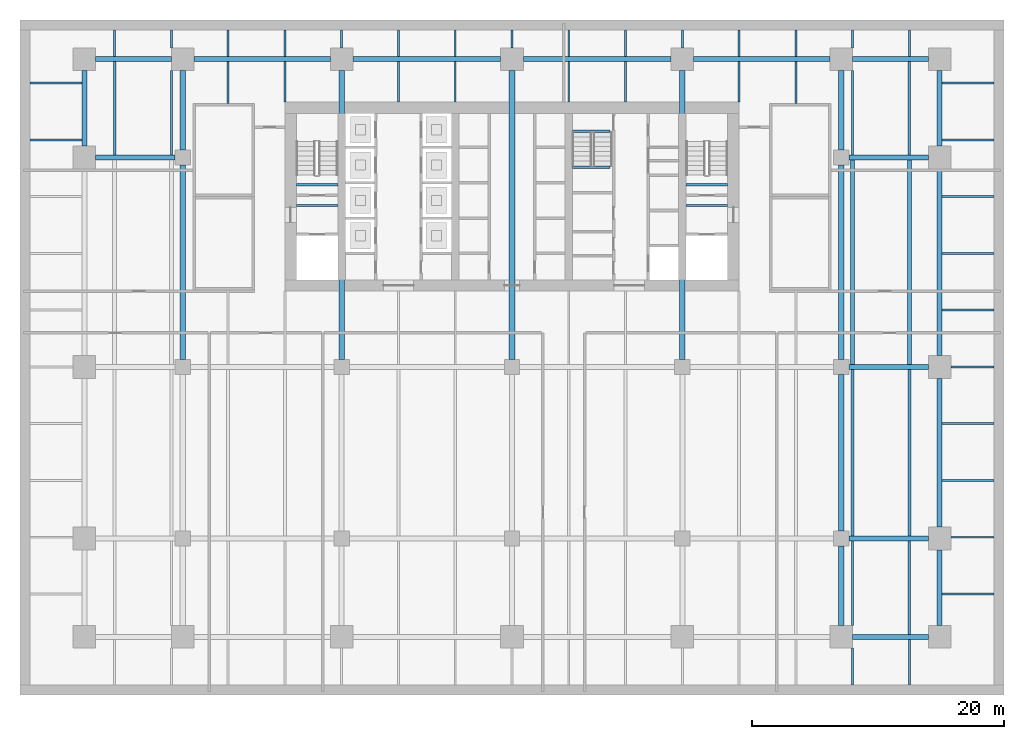
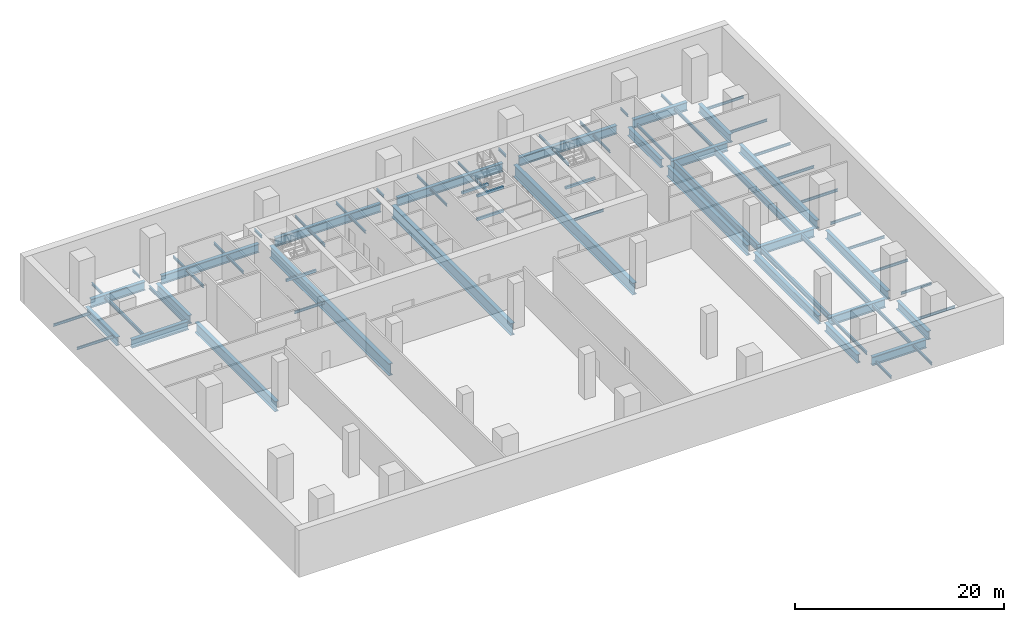
# One storey, part 2 of 11: 79 beams.
"""IFC4 building model written with IfcOpenShell, lengths in metres."""

from ifc_helpers import new_model, si_unit, direction, frame, origin, origin_2d, place, context, subcontext, project, spatial, rectangle, i_section, extrude, material, material_profile, profile_set, type_object, element, save


model = new_model("IFC4")

# Units and contexts
model_context = context("Model", 3, precision=1e-05, world=origin(), true_north=direction((0.0, 1.0)))
body_context = subcontext(model_context, "Body", "Model", "MODEL_VIEW")
ifc_project = project(units=[si_unit("LENGTHUNIT", "METRE"), si_unit("AREAUNIT", "SQUARE_METRE"), si_unit("VOLUMEUNIT", "CUBIC_METRE"), si_unit("PLANEANGLEUNIT", "RADIAN"), si_unit("MASSUNIT", "GRAM", prefix="KILO")], contexts=[model_context])

# Site, building, storey
site_placement = place(None, origin())
site = spatial("IfcSite", under=ifc_project, at=site_placement, CompositionType="ELEMENT")
building_placement = place(site_placement, origin())
building = spatial("IfcBuilding", under=site, at=building_placement, Name="Rattan Terrace Tower", CompositionType="ELEMENT")
storey_placement = place(building_placement, frame((0.0, 0.0, -5.5)))
storey = spatial("IfcBuildingStorey", under=building, at=storey_placement, Name="B1", CompositionType="ELEMENT", Elevation=-5.5)

# Beams
ifc_material_1 = material(Name="Concrete C40/50", Category="concrete")
ifc_material_profile_1 = material_profile(ifc_material_1, rectangle(XDim=0.199951171875, YDim=0.300048828125, at=origin_2d()), Name="RC 200x300")
ifc_profile_set_1 = profile_set([ifc_material_profile_1], Name="Concrete C40/50")
beam_type_1 = type_object("IfcBeamType", Name="Core landing beam RC 200x300", PredefinedType="BEAM", material=ifc_profile_set_1)
for number, where, z_axis, x_axis, name in (
    (1, (-17.10009765625, 0.949951171875, 2.39990234375), (1.0, 0.0, 0.0), (0.0, 1.0, 0.0), "st-S1-B1 landing 2 edge beam"),
    (2, (13.800048828125, 0.949951171875, 2.39990234375), (1.0, 0.0, 0.0), (0.0, 1.0, 0.0), "st-S2-B1 landing 2 edge beam"),
):
    element("IfcBeam", number, at=place(storey_placement, frame(where, z_axis=z_axis, x_axis=x_axis)), inside=storey, type_object=beam_type_1, Name=name, PredefinedType="BEAM", context=body_context, shape_type="SweptSolid", body=[
        extrude(rectangle(XDim=0.199951171875, YDim=0.300048828125, at=origin_2d()), origin(), (0.0, 0.0, 1.0), 3.300048828125),
    ])
for number, where, z_axis, x_axis, name in (
    (3, (4.800048828125, 2.340087890625, 1.02490234375), (1.0, 0.0, 0.0), (0.0, 1.0, 0.0), "st-S3-B1 landing 1 edge beam"),
    (4, (4.800048828125, 5.199951171875, 2.39990234375), (1.0, 0.0, 0.0), (0.0, 1.0, 0.0), "st-S3-B1 landing 2 edge beam"),
    (5, (4.800048828125, 2.340087890625, 3.77490234375), (1.0, 0.0, 0.0), (0.0, 1.0, 0.0), "st-S3-B1 landing 3 edge beam"),
):
    element("IfcBeam", number, at=place(storey_placement, frame(where, z_axis=z_axis, x_axis=x_axis)), inside=storey, type_object=beam_type_1, Name=name, PredefinedType="BEAM", context=body_context, shape_type="SweptSolid", body=[
        extrude(rectangle(XDim=0.199951171875, YDim=0.300048828125, at=origin_2d()), origin(), (0.0, 0.0, 1.0), 2.949951171875),
    ])
ifc_material_2 = material(Name="Steel S355", Category="steel")
ifc_material_profile_2 = material_profile(ifc_material_2, i_section(OverallWidth=0.300048828125, OverallDepth=0.800048828125, WebThickness=0.017578125, FlangeThickness=0.032958984375, FilletRadius=0.030029296875, at=origin_2d()), Name="HE 800 B")
ifc_profile_set_2 = profile_set([ifc_material_profile_2], Name="Steel S355")
beam_type_2 = type_object("IfcBeamType", Name="Frame floor beam HE 800 B", PredefinedType="JOIST", material=ifc_profile_set_2)
for number, where, z_axis, x_axis, name in (
    (6, (27.0, -13.300048828125, -0.60009765625), (0.0, 1.0, 0.0), (-1.0, 0.0, 0.0), "bm-B1-062"),
    (7, (31.5, -13.300048828125, -0.60009765625), (0.0, 1.0, 0.0), (-1.0, 0.0, 0.0), "bm-B1-063"),
):
    element("IfcBeam", number, at=place(storey_placement, frame(where, z_axis=z_axis, x_axis=x_axis)), inside=storey, type_object=beam_type_2, Name=name, PredefinedType="JOIST", context=body_context, shape_type="SweptSolid", body=[
        extrude(i_section(OverallWidth=0.300048828125, OverallDepth=0.800048828125, WebThickness=0.017578125, FlangeThickness=0.032958984375, FilletRadius=0.030029296875, at=origin_2d()), origin(), (0.0, 0.0, 1.0), 16.199951171875),
    ])
ifc_material_3 = material(Name="Steel S355", Category="steel")
ifc_material_profile_3 = material_profile(ifc_material_3, i_section(OverallWidth=0.14990234375, OverallDepth=0.300048828125, WebThickness=0.007080078125, FlangeThickness=0.0107421875, FilletRadius=0.014892578125, at=origin_2d()), Name="IPE 300")
ifc_profile_set_3 = profile_set([ifc_material_profile_3], Name="Steel S355")
beam_type_3 = type_object("IfcBeamType", Name="Frame floor beam IPE 300", PredefinedType="JOIST", material=ifc_profile_set_3)
for number, where, z_axis, x_axis, name in (
    (8, (-17.10009765625, -0.695068359375, -0.35009765625), (1.0, 0.0, 0.0), (0.0, 1.0, 0.0), "bm-B1-001"),
    (9, (13.800048828125, -0.695068359375, -0.35009765625), (1.0, 0.0, 0.0), (0.0, 1.0, 0.0), "bm-B1-002"),
):
    element("IfcBeam", number, at=place(storey_placement, frame(where, z_axis=z_axis, x_axis=x_axis)), inside=storey, type_object=beam_type_3, Name=name, PredefinedType="JOIST", context=body_context, shape_type="SweptSolid", body=[
        extrude(i_section(OverallWidth=0.14990234375, OverallDepth=0.300048828125, WebThickness=0.007080078125, FlangeThickness=0.0107421875, FilletRadius=0.014892578125, at=origin_2d()), origin(), (0.0, 0.0, 1.0), 3.300048828125),
    ])
beam_1_placement = place(storey_placement, frame((27.0, -38.699951171875, -0.35009765625), z_axis=(0.0, 1.0, 0.0), x_axis=(-1.0, 0.0, 0.0)))
element("IfcBeam", 10, at=beam_1_placement, inside=storey, type_object=beam_type_3, Name="bm-B1-016", PredefinedType="JOIST", context=body_context, shape_type="SweptSolid", body=[
    extrude(i_section(OverallWidth=0.14990234375, OverallDepth=0.300048828125, WebThickness=0.007080078125, FlangeThickness=0.0107421875, FilletRadius=0.014892578125, at=origin_2d()), origin(), (0.0, 0.0, 1.0), 2.89990234375),
])
beam_2_placement = place(storey_placement, frame((31.5, -38.699951171875, -0.35009765625), z_axis=(0.0, 1.0, 0.0), x_axis=(-1.0, 0.0, 0.0)))
element("IfcBeam", 11, at=beam_2_placement, inside=storey, type_object=beam_type_3, Name="bm-B1-017", PredefinedType="JOIST", context=body_context, shape_type="SweptSolid", body=[
    extrude(i_section(OverallWidth=0.14990234375, OverallDepth=0.300048828125, WebThickness=0.007080078125, FlangeThickness=0.0107421875, FilletRadius=0.014892578125, at=origin_2d()), origin(), (0.0, 0.0, 1.0), 3.599853515625),
])
beam_3_placement = place(storey_placement, frame((34.10009765625, -31.5, -0.35009765625), z_axis=(1.0, 0.0, 0.0), x_axis=(0.0, 1.0, 0.0)))
element("IfcBeam", 12, at=beam_3_placement, inside=storey, type_object=beam_type_3, Name="bm-B1-031", PredefinedType="JOIST", context=body_context, shape_type="SweptSolid", body=[
    extrude(i_section(OverallWidth=0.14990234375, OverallDepth=0.300048828125, WebThickness=0.007080078125, FlangeThickness=0.0107421875, FilletRadius=0.014892578125, at=origin_2d()), origin(), (0.0, 0.0, 1.0), 4.099853515625),
])
beam_4_placement = place(storey_placement, frame((34.800048828125, -27.0, -0.35009765625), z_axis=(1.0, 0.0, 0.0), x_axis=(0.0, 1.0, 0.0)))
element("IfcBeam", 13, at=beam_4_placement, inside=storey, type_object=beam_type_3, Name="bm-B1-033", PredefinedType="JOIST", context=body_context, shape_type="SweptSolid", body=[
    extrude(i_section(OverallWidth=0.14990234375, OverallDepth=0.300048828125, WebThickness=0.007080078125, FlangeThickness=0.0107421875, FilletRadius=0.014892578125, at=origin_2d()), origin(), (0.0, 0.0, 1.0), 3.39990234375),
])
for number, where, z_axis, x_axis, name in (
    (14, (34.10009765625, -22.5, -0.35009765625), (1.0, 0.0, 0.0), (0.0, 1.0, 0.0), "bm-B1-047"),
    (15, (34.10009765625, -18.0, -0.35009765625), (1.0, 0.0, 0.0), (0.0, 1.0, 0.0), "bm-B1-049"),
):
    element("IfcBeam", number, at=place(storey_placement, frame(where, z_axis=z_axis, x_axis=x_axis)), inside=storey, type_object=beam_type_3, Name=name, PredefinedType="JOIST", context=body_context, shape_type="SweptSolid", body=[
        extrude(i_section(OverallWidth=0.14990234375, OverallDepth=0.300048828125, WebThickness=0.007080078125, FlangeThickness=0.0107421875, FilletRadius=0.014892578125, at=origin_2d()), origin(), (0.0, 0.0, 1.0), 4.099853515625),
    ])
beam_5_placement = place(storey_placement, frame((34.800048828125, -13.5, -0.35009765625), z_axis=(1.0, 0.0, 0.0), x_axis=(0.0, 1.0, 0.0)))
element("IfcBeam", 16, at=beam_5_placement, inside=storey, type_object=beam_type_3, Name="bm-B1-051", PredefinedType="JOIST", context=body_context, shape_type="SweptSolid", body=[
    extrude(i_section(OverallWidth=0.14990234375, OverallDepth=0.300048828125, WebThickness=0.007080078125, FlangeThickness=0.0107421875, FilletRadius=0.014892578125, at=origin_2d()), origin(), (0.0, 0.0, 1.0), 3.39990234375),
])
for number, where, z_axis, x_axis, name in (
    (17, (34.10009765625, -9.0, -0.35009765625), (1.0, 0.0, 0.0), (0.0, 1.0, 0.0), "bm-B1-065"),
    (18, (34.10009765625, -4.5, -0.35009765625), (1.0, 0.0, 0.0), (0.0, 1.0, 0.0), "bm-B1-067"),
    (19, (34.10009765625, 0.0, -0.35009765625), (1.0, 0.0, 0.0), (0.0, 1.0, 0.0), "bm-B1-069"),
    (20, (-38.199951171875, 4.5, -0.35009765625), (1.0, 0.0, 0.0), (0.0, 1.0, 0.0), "bm-B1-074"),
    (21, (34.10009765625, 4.5, -0.35009765625), (1.0, 0.0, 0.0), (0.0, 1.0, 0.0), "bm-B1-075"),
):
    element("IfcBeam", number, at=place(storey_placement, frame(where, z_axis=z_axis, x_axis=x_axis)), inside=storey, type_object=beam_type_3, Name=name, PredefinedType="JOIST", context=body_context, shape_type="SweptSolid", body=[
        extrude(i_section(OverallWidth=0.14990234375, OverallDepth=0.300048828125, WebThickness=0.007080078125, FlangeThickness=0.0107421875, FilletRadius=0.014892578125, at=origin_2d()), origin(), (0.0, 0.0, 1.0), 4.099853515625),
    ])
for number, where, z_axis, x_axis, name in (
    (22, (-22.5, 7.39990234375, -0.35009765625), (0.0, 1.0, 0.0), (-1.0, 0.0, 0.0), "bm-B1-076"),
    (23, (22.5, 7.39990234375, -0.35009765625), (0.0, 1.0, 0.0), (-1.0, 0.0, 0.0), "bm-B1-077"),
):
    element("IfcBeam", number, at=place(storey_placement, frame(where, z_axis=z_axis, x_axis=x_axis)), inside=storey, type_object=beam_type_3, Name=name, PredefinedType="JOIST", context=body_context, shape_type="SweptSolid", body=[
        extrude(i_section(OverallWidth=0.14990234375, OverallDepth=0.300048828125, WebThickness=0.007080078125, FlangeThickness=0.0107421875, FilletRadius=0.014892578125, at=origin_2d()), origin(), (0.0, 0.0, 1.0), 3.300048828125),
    ])
for number, where, z_axis, x_axis, name in (
    (24, (-18.0, 7.5, -0.35009765625), (0.0, 1.0, 0.0), (-1.0, 0.0, 0.0), "bm-B1-078"),
    (25, (-9.0, 7.5, -0.35009765625), (0.0, 1.0, 0.0), (-1.0, 0.0, 0.0), "bm-B1-079"),
    (26, (-4.5, 7.5, -0.35009765625), (0.0, 1.0, 0.0), (-1.0, 0.0, 0.0), "bm-B1-080"),
    (27, (4.5, 7.5, -0.35009765625), (0.0, 1.0, 0.0), (-1.0, 0.0, 0.0), "bm-B1-081"),
    (28, (9.0, 7.5, -0.35009765625), (0.0, 1.0, 0.0), (-1.0, 0.0, 0.0), "bm-B1-082"),
    (29, (18.0, 7.5, -0.35009765625), (0.0, 1.0, 0.0), (-1.0, 0.0, 0.0), "bm-B1-083"),
):
    element("IfcBeam", number, at=place(storey_placement, frame(where, z_axis=z_axis, x_axis=x_axis)), inside=storey, type_object=beam_type_3, Name=name, PredefinedType="JOIST", context=body_context, shape_type="SweptSolid", body=[
        extrude(i_section(OverallWidth=0.14990234375, OverallDepth=0.300048828125, WebThickness=0.007080078125, FlangeThickness=0.0107421875, FilletRadius=0.014892578125, at=origin_2d()), origin(), (0.0, 0.0, 1.0), 3.199951171875),
    ])
for number, where, z_axis, x_axis, name in (
    (30, (-38.199951171875, 9.0, -0.35009765625), (1.0, 0.0, 0.0), (0.0, 1.0, 0.0), "bm-B1-084"),
    (31, (34.10009765625, 9.0, -0.35009765625), (1.0, 0.0, 0.0), (0.0, 1.0, 0.0), "bm-B1-085"),
):
    element("IfcBeam", number, at=place(storey_placement, frame(where, z_axis=z_axis, x_axis=x_axis)), inside=storey, type_object=beam_type_3, Name=name, PredefinedType="JOIST", context=body_context, shape_type="SweptSolid", body=[
        extrude(i_section(OverallWidth=0.14990234375, OverallDepth=0.300048828125, WebThickness=0.007080078125, FlangeThickness=0.0107421875, FilletRadius=0.014892578125, at=origin_2d()), origin(), (0.0, 0.0, 1.0), 4.099853515625),
    ])
for number, where, z_axis, x_axis, name in (
    (32, (-31.5, 11.10009765625, -0.35009765625), (0.0, 1.0, 0.0), (-1.0, 0.0, 0.0), "bm-B1-086"),
    (33, (-22.5, 11.10009765625, -0.35009765625), (0.0, 1.0, 0.0), (-1.0, 0.0, 0.0), "bm-B1-087"),
    (34, (-18.0, 11.10009765625, -0.35009765625), (0.0, 1.0, 0.0), (-1.0, 0.0, 0.0), "bm-B1-088"),
    (35, (-9.0, 11.10009765625, -0.35009765625), (0.0, 1.0, 0.0), (-1.0, 0.0, 0.0), "bm-B1-089"),
    (36, (-4.5, 11.10009765625, -0.35009765625), (0.0, 1.0, 0.0), (-1.0, 0.0, 0.0), "bm-B1-090"),
    (37, (4.5, 11.10009765625, -0.35009765625), (0.0, 1.0, 0.0), (-1.0, 0.0, 0.0), "bm-B1-091"),
    (38, (9.0, 11.10009765625, -0.35009765625), (0.0, 1.0, 0.0), (-1.0, 0.0, 0.0), "bm-B1-092"),
    (39, (18.0, 11.10009765625, -0.35009765625), (0.0, 1.0, 0.0), (-1.0, 0.0, 0.0), "bm-B1-093"),
    (40, (22.5, 11.10009765625, -0.35009765625), (0.0, 1.0, 0.0), (-1.0, 0.0, 0.0), "bm-B1-094"),
    (41, (31.5, 11.10009765625, -0.35009765625), (0.0, 1.0, 0.0), (-1.0, 0.0, 0.0), "bm-B1-095"),
):
    element("IfcBeam", number, at=place(storey_placement, frame(where, z_axis=z_axis, x_axis=x_axis)), inside=storey, type_object=beam_type_3, Name=name, PredefinedType="JOIST", context=body_context, shape_type="SweptSolid", body=[
        extrude(i_section(OverallWidth=0.14990234375, OverallDepth=0.300048828125, WebThickness=0.007080078125, FlangeThickness=0.0107421875, FilletRadius=0.014892578125, at=origin_2d()), origin(), (0.0, 0.0, 1.0), 2.099853515625),
    ])
for number, where, z_axis, x_axis, name in (
    (42, (-27.0, 11.800048828125, -0.35009765625), (0.0, 1.0, 0.0), (-1.0, 0.0, 0.0), "bm-B1-096"),
    (43, (-13.5, 11.800048828125, -0.35009765625), (0.0, 1.0, 0.0), (-1.0, 0.0, 0.0), "bm-B1-097"),
    (44, (0.0, 11.800048828125, -0.35009765625), (0.0, 1.0, 0.0), (-1.0, 0.0, 0.0), "bm-B1-098"),
    (45, (13.5, 11.800048828125, -0.35009765625), (0.0, 1.0, 0.0), (-1.0, 0.0, 0.0), "bm-B1-099"),
    (46, (27.0, 11.800048828125, -0.35009765625), (0.0, 1.0, 0.0), (-1.0, 0.0, 0.0), "bm-B1-100"),
):
    element("IfcBeam", number, at=place(storey_placement, frame(where, z_axis=z_axis, x_axis=x_axis)), inside=storey, type_object=beam_type_3, Name=name, PredefinedType="JOIST", context=body_context, shape_type="SweptSolid", body=[
        extrude(i_section(OverallWidth=0.14990234375, OverallDepth=0.300048828125, WebThickness=0.007080078125, FlangeThickness=0.0107421875, FilletRadius=0.014892578125, at=origin_2d()), origin(), (0.0, 0.0, 1.0), 1.39990234375),
    ])
ifc_material_4 = material(Name="Steel S355", Category="steel")
ifc_material_profile_4 = material_profile(ifc_material_4, i_section(OverallWidth=0.169921875, OverallDepth=0.360107421875, WebThickness=0.008056640625, FlangeThickness=0.0126953125, FilletRadius=0.01806640625, at=origin_2d()), Name="IPE 360")
ifc_profile_set_4 = profile_set([ifc_material_profile_4], Name="Steel S355")
beam_type_4 = type_object("IfcBeamType", Name="Frame floor beam IPE 360", PredefinedType="JOIST", material=ifc_profile_set_4)
for number, where, z_axis, x_axis, name in (
    (47, (27.0, -34.0, -0.3798828125), (0.0, 1.0, 0.0), (-1.0, 0.0, 0.0), "bm-B1-029"),
    (48, (-27.0, 3.300048828125, -0.3798828125), (0.0, 1.0, 0.0), (-1.0, 0.0, 0.0), "bm-B1-071"),
    (49, (27.0, 3.300048828125, -0.3798828125), (0.0, 1.0, 0.0), (-1.0, 0.0, 0.0), "bm-B1-072"),
):
    element("IfcBeam", number, at=place(storey_placement, frame(where, z_axis=z_axis, x_axis=x_axis)), inside=storey, type_object=beam_type_4, Name=name, PredefinedType="JOIST", context=body_context, shape_type="SweptSolid", body=[
        extrude(i_section(OverallWidth=0.169921875, OverallDepth=0.360107421875, WebThickness=0.008056640625, FlangeThickness=0.0126953125, FilletRadius=0.01806640625, at=origin_2d()), origin(), (0.0, 0.0, 1.0), 6.699951171875),
    ])
ifc_material_5 = material(Name="Steel S355", Category="steel")
ifc_material_profile_5 = material_profile(ifc_material_5, i_section(OverallWidth=0.179931640625, OverallDepth=0.39990234375, WebThickness=0.008544921875, FlangeThickness=0.013427734375, FilletRadius=0.02099609375, at=origin_2d()), Name="IPE 400")
ifc_profile_set_5 = profile_set([ifc_material_profile_5], Name="Steel S355")
beam_type_5 = type_object("IfcBeamType", Name="Frame floor beam IPE 400", PredefinedType="JOIST", material=ifc_profile_set_5)
for number, where, z_axis, x_axis, name in (
    (50, (31.5, -34.699951171875, -0.39990234375), (0.0, 1.0, 0.0), (-1.0, 0.0, 0.0), "bm-B1-027"),
    (51, (-31.5, 3.300048828125, -0.39990234375), (0.0, 1.0, 0.0), (-1.0, 0.0, 0.0), "bm-B1-070"),
    (52, (31.5, 3.300048828125, -0.39990234375), (0.0, 1.0, 0.0), (-1.0, 0.0, 0.0), "bm-B1-073"),
):
    element("IfcBeam", number, at=place(storey_placement, frame(where, z_axis=z_axis, x_axis=x_axis)), inside=storey, type_object=beam_type_5, Name=name, PredefinedType="JOIST", context=body_context, shape_type="SweptSolid", body=[
        extrude(i_section(OverallWidth=0.179931640625, OverallDepth=0.39990234375, WebThickness=0.008544921875, FlangeThickness=0.013427734375, FilletRadius=0.02099609375, at=origin_2d()), origin(), (0.0, 0.0, 1.0), 7.39990234375),
    ])
ifc_material_6 = material(Name="Steel S355", Category="steel")
ifc_material_profile_6 = material_profile(ifc_material_6, i_section(OverallWidth=0.22412109375, OverallDepth=0.610107421875, WebThickness=0.014892578125, FlangeThickness=0.02392578125, FilletRadius=0.02392578125, at=origin_2d()), Name="IPE O 600")
ifc_profile_set_6 = profile_set([ifc_material_profile_6], Name="Steel S355")
beam_type_6 = type_object("IfcBeamType", Name="Frame floor beam IPE O 600", PredefinedType="JOIST", material=ifc_profile_set_6)
for number, where, z_axis, x_axis, name in (
    (53, (27.0, -26.89990234375, -0.5048828125), (0.0, 1.0, 0.0), (-1.0, 0.0, 0.0), "bm-B1-044"),
    (54, (31.5, -26.89990234375, -0.5048828125), (0.0, 1.0, 0.0), (-1.0, 0.0, 0.0), "bm-B1-045"),
):
    element("IfcBeam", number, at=place(storey_placement, frame(where, z_axis=z_axis, x_axis=x_axis)), inside=storey, type_object=beam_type_6, Name=name, PredefinedType="JOIST", context=body_context, shape_type="SweptSolid", body=[
        extrude(i_section(OverallWidth=0.22412109375, OverallDepth=0.610107421875, WebThickness=0.014892578125, FlangeThickness=0.02392578125, FilletRadius=0.02392578125, at=origin_2d()), origin(), (0.0, 0.0, 1.0), 13.199951171875),
    ])
ifc_material_7 = material(Name="Steel S460", Category="steel")
ifc_material_profile_7 = material_profile(ifc_material_7, i_section(OverallWidth=0.39990234375, OverallDepth=1.0, WebThickness=0.01806640625, FlangeThickness=0.044921875, at=origin_2d()), Name="PG 1000x400-18-45")
ifc_profile_set_7 = profile_set([ifc_material_profile_7], Name="Steel S460")
beam_type_7 = type_object("IfcBeamType", Name="Frame podium girder PG 1000x400-18-45", PredefinedType="USERDEFINED", material=ifc_profile_set_7)
beam_6_placement = place(storey_placement, frame((27.0, -34.89990234375, -0.699951171875), z_axis=(1.0, 0.0, 0.0), x_axis=(0.0, 1.0, 0.0)))
element("IfcBeam", 55, at=beam_6_placement, inside=storey, type_object=beam_type_7, Name="gdr-B1-006", ObjectType="PODIUM GIRDER", PredefinedType="USERDEFINED", context=body_context, shape_type="SweptSolid", body=[
    extrude(i_section(OverallWidth=0.39990234375, OverallDepth=1.0, WebThickness=0.01806640625, FlangeThickness=0.044921875, at=origin_2d()), origin(), (0.0, 0.0, 1.0), 6.0),
])
beam_7_placement = place(storey_placement, frame((26.10009765625, -34.0, -0.699951171875), z_axis=(0.0, 1.0, 0.0), x_axis=(-1.0, 0.0, 0.0)))
element("IfcBeam", 56, at=beam_7_placement, inside=storey, type_object=beam_type_7, Name="gdr-B1-012", ObjectType="PODIUM GIRDER", PredefinedType="USERDEFINED", context=body_context, shape_type="SweptSolid", body=[
    extrude(i_section(OverallWidth=0.39990234375, OverallDepth=1.0, WebThickness=0.01806640625, FlangeThickness=0.044921875, at=origin_2d()), origin(), (0.0, 0.0, 1.0), 6.300048828125),
])
beam_8_placement = place(storey_placement, frame((33.89990234375, -34.0, -0.699951171875), z_axis=(0.0, 1.0, 0.0), x_axis=(-1.0, 0.0, 0.0)))
element("IfcBeam", 57, at=beam_8_placement, inside=storey, type_object=beam_type_7, Name="gdr-B1-013", ObjectType="PODIUM GIRDER", PredefinedType="USERDEFINED", context=body_context, shape_type="SweptSolid", body=[
    extrude(i_section(OverallWidth=0.39990234375, OverallDepth=1.0, WebThickness=0.01806640625, FlangeThickness=0.044921875, at=origin_2d()), origin(), (0.0, 0.0, 1.0), 6.0),
])
beam_9_placement = place(storey_placement, frame((26.699951171875, -27.10009765625, -0.699951171875), z_axis=(1.0, 0.0, 0.0), x_axis=(0.0, 1.0, 0.0)))
element("IfcBeam", 58, at=beam_9_placement, inside=storey, type_object=beam_type_7, Name="gdr-B1-019", ObjectType="PODIUM GIRDER", PredefinedType="USERDEFINED", context=body_context, shape_type="SweptSolid", body=[
    extrude(i_section(OverallWidth=0.39990234375, OverallDepth=1.0, WebThickness=0.01806640625, FlangeThickness=0.044921875, at=origin_2d()), origin(), (0.0, 0.0, 1.0), 6.300048828125),
])
beam_10_placement = place(storey_placement, frame((26.10009765625, -26.5, -0.699951171875), z_axis=(0.0, 1.0, 0.0), x_axis=(-1.0, 0.0, 0.0)))
element("IfcBeam", 59, at=beam_10_placement, inside=storey, type_object=beam_type_7, Name="gdr-B1-024", ObjectType="PODIUM GIRDER", PredefinedType="USERDEFINED", context=body_context, shape_type="SweptSolid", body=[
    extrude(i_section(OverallWidth=0.39990234375, OverallDepth=1.0, WebThickness=0.01806640625, FlangeThickness=0.044921875, at=origin_2d()), origin(), (0.0, 0.0, 1.0), 12.39990234375),
])
beam_11_placement = place(storey_placement, frame((33.89990234375, -26.199951171875, -0.699951171875), z_axis=(0.0, 1.0, 0.0), x_axis=(-1.0, 0.0, 0.0)))
element("IfcBeam", 60, at=beam_11_placement, inside=storey, type_object=beam_type_7, Name="gdr-B1-026", ObjectType="PODIUM GIRDER", PredefinedType="USERDEFINED", context=body_context, shape_type="SweptSolid", body=[
    extrude(i_section(OverallWidth=0.39990234375, OverallDepth=1.0, WebThickness=0.01806640625, FlangeThickness=0.044921875, at=origin_2d()), origin(), (0.0, 0.0, 1.0), 11.800048828125),
])
beam_12_placement = place(storey_placement, frame((26.699951171875, -13.5, -0.699951171875), z_axis=(1.0, 0.0, 0.0), x_axis=(0.0, 1.0, 0.0)))
element("IfcBeam", 61, at=beam_12_placement, inside=storey, type_object=beam_type_7, Name="gdr-B1-032", ObjectType="PODIUM GIRDER", PredefinedType="USERDEFINED", context=body_context, shape_type="SweptSolid", body=[
    extrude(i_section(OverallWidth=0.39990234375, OverallDepth=1.0, WebThickness=0.01806640625, FlangeThickness=0.044921875, at=origin_2d()), origin(), (0.0, 0.0, 1.0), 6.300048828125),
])
beam_13_placement = place(storey_placement, frame((33.89990234375, -12.60009765625, -0.699951171875), z_axis=(0.0, 1.0, 0.0), x_axis=(-1.0, 0.0, 0.0)))
element("IfcBeam", 62, at=beam_13_placement, inside=storey, type_object=beam_type_7, Name="gdr-B1-039", ObjectType="PODIUM GIRDER", PredefinedType="USERDEFINED", context=body_context, shape_type="SweptSolid", body=[
    extrude(i_section(OverallWidth=0.39990234375, OverallDepth=1.0, WebThickness=0.01806640625, FlangeThickness=0.044921875, at=origin_2d()), origin(), (0.0, 0.0, 1.0), 14.800048828125),
])
for number, where, z_axis, x_axis, name in (
    (63, (-33.0, 3.10009765625, -0.699951171875), (1.0, 0.0, 0.0), (0.0, 1.0, 0.0), "gdr-B1-040"),
    (64, (26.699951171875, 3.10009765625, -0.699951171875), (1.0, 0.0, 0.0), (0.0, 1.0, 0.0), "gdr-B1-041"),
    (65, (-26.10009765625, 3.699951171875, -0.699951171875), (0.0, 1.0, 0.0), (-1.0, 0.0, 0.0), "gdr-B1-042"),
    (66, (26.10009765625, 3.699951171875, -0.699951171875), (0.0, 1.0, 0.0), (-1.0, 0.0, 0.0), "gdr-B1-043"),
):
    element("IfcBeam", number, at=place(storey_placement, frame(where, z_axis=z_axis, x_axis=x_axis)), inside=storey, type_object=beam_type_7, Name=name, ObjectType="PODIUM GIRDER", PredefinedType="USERDEFINED", context=body_context, shape_type="SweptSolid", body=[
        extrude(i_section(OverallWidth=0.39990234375, OverallDepth=1.0, WebThickness=0.01806640625, FlangeThickness=0.044921875, at=origin_2d()), origin(), (0.0, 0.0, 1.0), 6.300048828125),
    ])
for number, where, z_axis, x_axis, name in (
    (67, (-33.89990234375, 4.0, -0.699951171875), (0.0, 1.0, 0.0), (-1.0, 0.0, 0.0), "gdr-B1-044"),
    (68, (33.89990234375, 4.0, -0.699951171875), (0.0, 1.0, 0.0), (-1.0, 0.0, 0.0), "gdr-B1-045"),
    (69, (-33.0, 10.89990234375, -0.699951171875), (1.0, 0.0, 0.0), (0.0, 1.0, 0.0), "gdr-B1-046"),
):
    element("IfcBeam", number, at=place(storey_placement, frame(where, z_axis=z_axis, x_axis=x_axis)), inside=storey, type_object=beam_type_7, Name=name, ObjectType="PODIUM GIRDER", PredefinedType="USERDEFINED", context=body_context, shape_type="SweptSolid", body=[
        extrude(i_section(OverallWidth=0.39990234375, OverallDepth=1.0, WebThickness=0.01806640625, FlangeThickness=0.044921875, at=origin_2d()), origin(), (0.0, 0.0, 1.0), 6.0),
    ])
beam_14_placement = place(storey_placement, frame((-25.199951171875, 10.89990234375, -0.699951171875), z_axis=(1.0, 0.0, 0.0), x_axis=(0.0, 1.0, 0.0)))
element("IfcBeam", 70, at=beam_14_placement, inside=storey, type_object=beam_type_7, Name="gdr-B1-047", ObjectType="PODIUM GIRDER", PredefinedType="USERDEFINED", context=body_context, shape_type="SweptSolid", body=[
    extrude(i_section(OverallWidth=0.39990234375, OverallDepth=1.0, WebThickness=0.01806640625, FlangeThickness=0.044921875, at=origin_2d()), origin(), (0.0, 0.0, 1.0), 10.800048828125),
])
for number, where, z_axis, x_axis, name in (
    (71, (-12.60009765625, 10.89990234375, -0.699951171875), (1.0, 0.0, 0.0), (0.0, 1.0, 0.0), "gdr-B1-048"),
    (72, (0.89990234375, 10.89990234375, -0.699951171875), (1.0, 0.0, 0.0), (0.0, 1.0, 0.0), "gdr-B1-049"),
):
    element("IfcBeam", number, at=place(storey_placement, frame(where, z_axis=z_axis, x_axis=x_axis)), inside=storey, type_object=beam_type_7, Name=name, ObjectType="PODIUM GIRDER", PredefinedType="USERDEFINED", context=body_context, shape_type="SweptSolid", body=[
        extrude(i_section(OverallWidth=0.39990234375, OverallDepth=1.0, WebThickness=0.01806640625, FlangeThickness=0.044921875, at=origin_2d()), origin(), (0.0, 0.0, 1.0), 11.7001953125),
    ])
beam_15_placement = place(storey_placement, frame((14.39990234375, 10.89990234375, -0.699951171875), z_axis=(1.0, 0.0, 0.0), x_axis=(0.0, 1.0, 0.0)))
element("IfcBeam", 73, at=beam_15_placement, inside=storey, type_object=beam_type_7, Name="gdr-B1-050", ObjectType="PODIUM GIRDER", PredefinedType="USERDEFINED", context=body_context, shape_type="SweptSolid", body=[
    extrude(i_section(OverallWidth=0.39990234375, OverallDepth=1.0, WebThickness=0.01806640625, FlangeThickness=0.044921875, at=origin_2d()), origin(), (0.0, 0.0, 1.0), 10.800048828125),
])
beam_16_placement = place(storey_placement, frame((27.0, 10.89990234375, -0.699951171875), z_axis=(1.0, 0.0, 0.0), x_axis=(0.0, 1.0, 0.0)))
element("IfcBeam", 74, at=beam_16_placement, inside=storey, type_object=beam_type_7, Name="gdr-B1-051", ObjectType="PODIUM GIRDER", PredefinedType="USERDEFINED", context=body_context, shape_type="SweptSolid", body=[
    extrude(i_section(OverallWidth=0.39990234375, OverallDepth=1.0, WebThickness=0.01806640625, FlangeThickness=0.044921875, at=origin_2d()), origin(), (0.0, 0.0, 1.0), 6.0),
])
ifc_material_8 = material(Name="Steel S460", Category="steel")
ifc_material_profile_8 = material_profile(ifc_material_8, i_section(OverallWidth=0.39990234375, OverallDepth=1.199951171875, WebThickness=0.02001953125, FlangeThickness=0.050048828125, at=origin_2d()), Name="PG 1200x400-20-50")
ifc_profile_set_8 = profile_set([ifc_material_profile_8], Name="Steel S460")
beam_type_8 = type_object("IfcBeamType", Name="Frame podium girder PG 1200x400-20-50", PredefinedType="USERDEFINED", material=ifc_profile_set_8)
for number, where, z_axis, x_axis, name in (
    (75, (-26.10009765625, -12.89990234375, -0.800048828125), (0.0, 1.0, 0.0), (-1.0, 0.0, 0.0), "gdr-B1-033"),
    (76, (26.10009765625, -12.89990234375, -0.800048828125), (0.0, 1.0, 0.0), (-1.0, 0.0, 0.0), "gdr-B1-037"),
):
    element("IfcBeam", number, at=place(storey_placement, frame(where, z_axis=z_axis, x_axis=x_axis)), inside=storey, type_object=beam_type_8, Name=name, ObjectType="PODIUM GIRDER", PredefinedType="USERDEFINED", context=body_context, shape_type="SweptSolid", body=[
        extrude(i_section(OverallWidth=0.39990234375, OverallDepth=1.199951171875, WebThickness=0.02001953125, FlangeThickness=0.050048828125, at=origin_2d()), origin(), (0.0, 0.0, 1.0), 15.39990234375),
    ])
ifc_material_9 = material(Name="Steel S460", Category="steel")
ifc_material_profile_9 = material_profile(ifc_material_9, i_section(OverallWidth=0.449951171875, OverallDepth=1.39990234375, WebThickness=0.02197265625, FlangeThickness=0.054931640625, at=origin_2d()), Name="PG 1400x450-22-55")
ifc_profile_set_9 = profile_set([ifc_material_profile_9], Name="Steel S460")
beam_type_9 = type_object("IfcBeamType", Name="Frame podium girder PG 1400x450-22-55", PredefinedType="USERDEFINED", material=ifc_profile_set_9)
for number, where, z_axis, x_axis, name in (
    (77, (-13.5, -12.89990234375, -0.89990234375), (0.0, 1.0, 0.0), (-1.0, 0.0, 0.0), "gdr-B1-034"),
    (78, (0.0, -12.89990234375, -0.89990234375), (0.0, 1.0, 0.0), (-1.0, 0.0, 0.0), "gdr-B1-035"),
    (79, (13.5, -12.89990234375, -0.89990234375), (0.0, 1.0, 0.0), (-1.0, 0.0, 0.0), "gdr-B1-036"),
):
    element("IfcBeam", number, at=place(storey_placement, frame(where, z_axis=z_axis, x_axis=x_axis)), inside=storey, type_object=beam_type_9, Name=name, ObjectType="PODIUM GIRDER", PredefinedType="USERDEFINED", context=body_context, shape_type="SweptSolid", body=[
        extrude(i_section(OverallWidth=0.449951171875, OverallDepth=1.39990234375, WebThickness=0.02197265625, FlangeThickness=0.054931640625, at=origin_2d()), origin(), (0.0, 0.0, 1.0), 22.89990234375),
    ])

save(model, "model.ifc")
